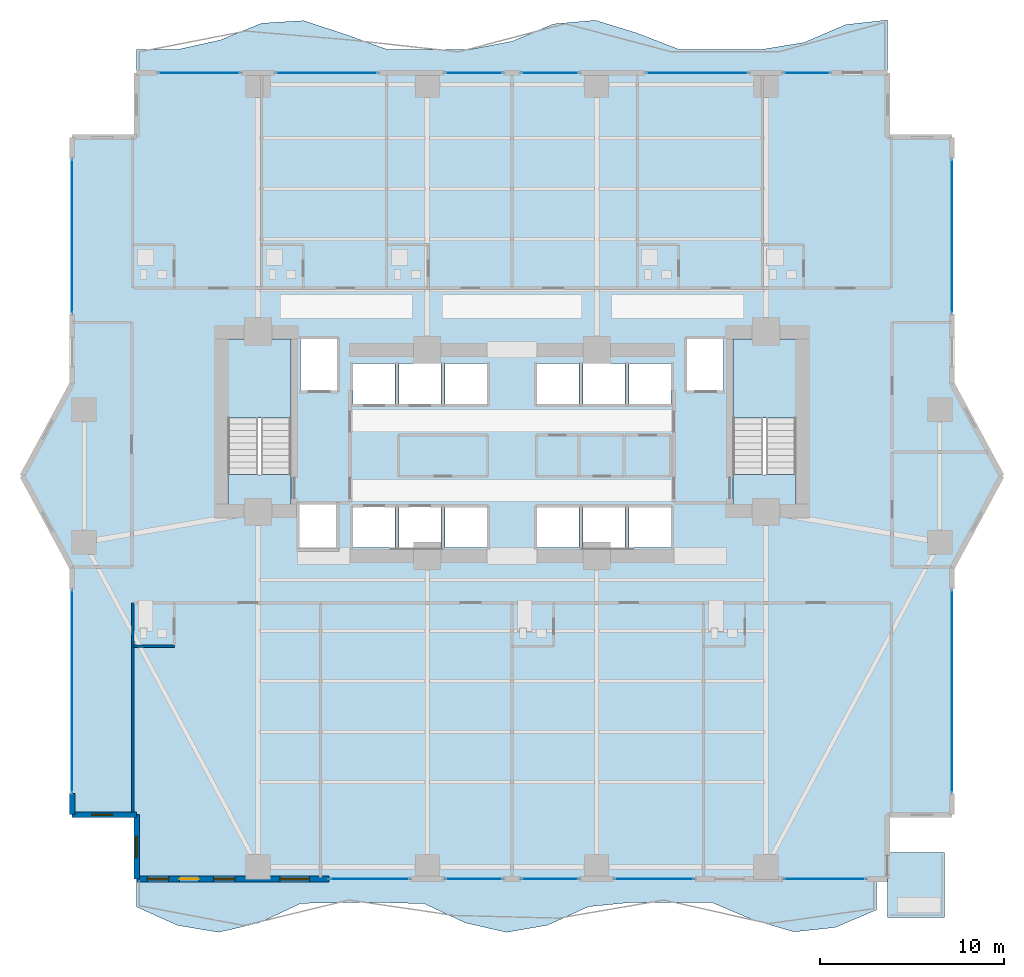
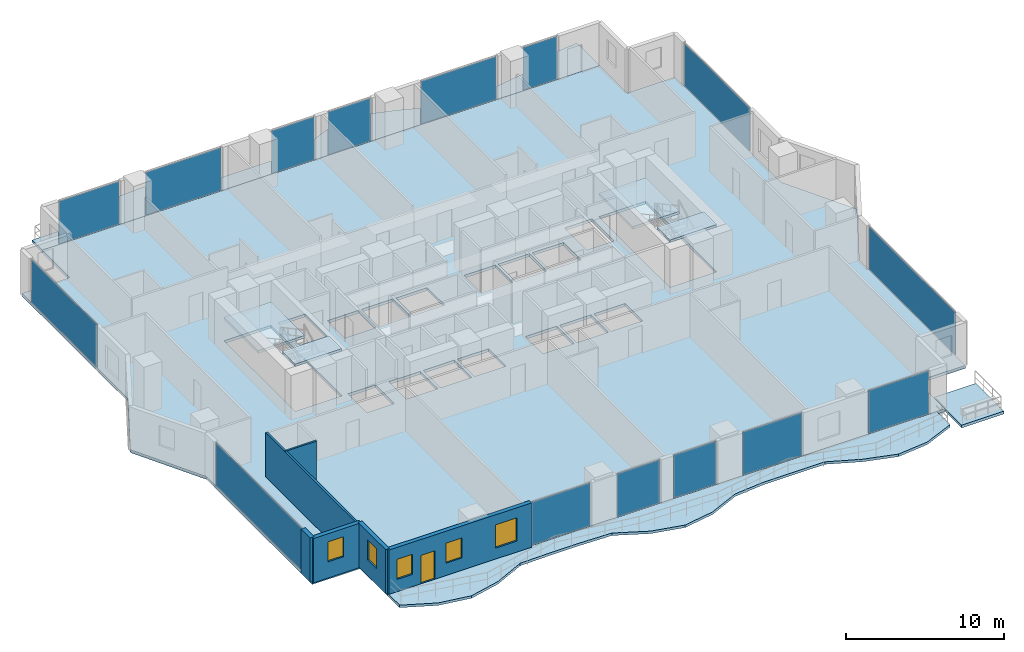
# One storey, part 20 of 30: 15 plates, 8 slabs, 6 walls, 5 windows, 1 door, 6 openings, 17 elements without a shape of their own.
"""IFC4 building model written with IfcOpenShell, lengths in metres."""

from ifc_helpers import new_model, si_unit, direction, frame, frame_2d, origin, origin_2d, place, context, subcontext, project, spatial, polyline, rectangle, outline, extrude, material, layer, layer_set, type_object, element, fill, aggregate, save


model = new_model("IFC4")

# Units and contexts
model_context = context("Model", 3, precision=1e-05, world=origin(), true_north=direction((0.0, 1.0)))
body_context = subcontext(model_context, "Body", "Model", "MODEL_VIEW")
ifc_project = project(units=[si_unit("LENGTHUNIT", "METRE"), si_unit("AREAUNIT", "SQUARE_METRE"), si_unit("VOLUMEUNIT", "CUBIC_METRE"), si_unit("PLANEANGLEUNIT", "RADIAN"), si_unit("MASSUNIT", "GRAM", prefix="KILO")], contexts=[model_context])

# Site, building, storey
site_placement = place(None, origin())
site = spatial("IfcSite", under=ifc_project, at=site_placement, CompositionType="ELEMENT")
building_placement = place(site_placement, origin())
building = spatial("IfcBuilding", under=site, at=building_placement, Name="Zuhayl Quay Hotel", CompositionType="ELEMENT")
storey_placement = place(building_placement, frame((0.0, 0.0, 128.5)))
storey = spatial("IfcBuildingStorey", under=building, at=storey_placement, Name="L32", CompositionType="ELEMENT", Elevation=128.5)

# Curtain wall, plate
ifc_material_1 = material(Name="Anodised Aluminium 6063-T6", Category="aluminium")
ifc_layer_1 = layer(ifc_material_1, 0.179931640625, Name="Anodised Aluminium 6063-T6", Category="aluminium")
ifc_layer_set_1 = layer_set([ifc_layer_1], Name="Anodised Aluminium 6063-T6")
curtain_wall_type = type_object("IfcCurtainWallType", Name="CW_SYS_Z2", PredefinedType="USERDEFINED", material=ifc_layer_set_1)
curtain_wall_1_placement = place(storey_placement, origin())
curtain_wall_1 = element("IfcCurtainWall", 1, at=curtain_wall_1_placement, inside=storey, type_object=curtain_wall_type, Name="L32 Curtain Wall ENV_L32_E02_CW1", ObjectType="UNITISED CURTAIN WALL", PredefinedType="USERDEFINED")
ifc_material_2 = material(Name="Dark Ceramic-Fritted Solar Glass", Category="glass")
ifc_layer_2 = layer(ifc_material_2, 0.035888671875, Name="Dark Ceramic-Fritted Solar Glass", Category="glass")
ifc_layer_set_2 = layer_set([ifc_layer_2], Name="Dark Ceramic-Fritted Solar Glass")
plate_type = type_object("IfcPlateType", Name="PN_DARK_FRIT_Z1", PredefinedType="CURTAIN_PANEL", material=ifc_layer_set_2)
plate_1_placement = place(storey_placement, frame((-23.89990234375, -5.199951171875, 0.06005859375), z_axis=(0.0, 0.0, 1.0), x_axis=(0.0, 1.0, 0.0)))
plate_1 = element("IfcPlate", 2, at=plate_1_placement, type_object=plate_type, Name="CW-Z2 panel 1.1", PredefinedType="CURTAIN_PANEL", context=body_context, shape_type="SweptSolid", body=[
    extrude(rectangle(XDim=10.969970703125, YDim=0.035888671875, at=origin_2d()), origin(), (0.0, 0.0, 1.0), 3.31005859375),
])
aggregate(curtain_wall_1, [plate_1])

curtain_wall_2_placement = place(storey_placement, origin())
curtain_wall_2 = element("IfcCurtainWall", 3, at=curtain_wall_2_placement, inside=storey, type_object=curtain_wall_type, Name="L32 Curtain Wall ENV_L32_E05_CW1", ObjectType="UNITISED CURTAIN WALL", PredefinedType="USERDEFINED")
plate_2_placement = place(storey_placement, frame((-23.89990234375, 19.52490234375, 0.06005859375), z_axis=(0.0, 0.0, 1.0), x_axis=(0.0, 1.0, 0.0)))
plate_2 = element("IfcPlate", 4, at=plate_2_placement, type_object=plate_type, Name="CW-Z2 panel 1.1", PredefinedType="CURTAIN_PANEL", context=body_context, shape_type="SweptSolid", body=[
    extrude(rectangle(XDim=8.320068359375, YDim=0.035888671875, at=origin_2d()), origin(), (0.0, 0.0, 1.0), 3.31005859375),
])
aggregate(curtain_wall_2, [plate_2])

curtain_wall_3_placement = place(storey_placement, origin())
curtain_wall_3 = element("IfcCurtainWall", 5, at=curtain_wall_3_placement, inside=storey, type_object=curtain_wall_type, Name="L32 Curtain Wall ENV_L32_N_CW1", ObjectType="UNITISED CURTAIN WALL", PredefinedType="USERDEFINED")
plate_3_placement = place(storey_placement, frame((-16.985107421875, 28.39990234375, 0.06005859375), z_axis=(0.0, 0.0, 1.0), x_axis=(1.0, 0.0, 0.0)))
plate_3 = element("IfcPlate", 6, at=plate_3_placement, type_object=plate_type, Name="CW-Z2 panel 1.1", PredefinedType="CURTAIN_PANEL", context=body_context, shape_type="SweptSolid", body=[
    extrude(rectangle(XDim=4.39990234375, YDim=0.035888671875, at=origin_2d()), origin(), (0.0, 0.0, 1.0), 3.31005859375),
])
aggregate(curtain_wall_3, [plate_3])

curtain_wall_4_placement = place(storey_placement, origin())
curtain_wall_4 = element("IfcCurtainWall", 7, at=curtain_wall_4_placement, inside=storey, type_object=curtain_wall_type, Name="L32 Curtain Wall ENV_L32_N_CW2", ObjectType="UNITISED CURTAIN WALL", PredefinedType="USERDEFINED")
plate_4_placement = place(storey_placement, frame((-10.06494140625, 28.39990234375, 0.06005859375), z_axis=(0.0, 0.0, 1.0), x_axis=(1.0, 0.0, 0.0)))
plate_4 = element("IfcPlate", 8, at=plate_4_placement, type_object=plate_type, Name="CW-Z2 panel 1.1", PredefinedType="CURTAIN_PANEL", context=body_context, shape_type="SweptSolid", body=[
    extrude(rectangle(XDim=5.5, YDim=0.035888671875, at=origin_2d()), origin(), (0.0, 0.0, 1.0), 3.31005859375),
])
aggregate(curtain_wall_4, [plate_4])

curtain_wall_5_placement = place(storey_placement, origin())
curtain_wall_5 = element("IfcCurtainWall", 9, at=curtain_wall_5_placement, inside=storey, type_object=curtain_wall_type, Name="L32 Curtain Wall ENV_L32_N_CW3", ObjectType="UNITISED CURTAIN WALL", PredefinedType="USERDEFINED")
plate_5_placement = place(storey_placement, frame((-2.06494140625, 28.39990234375, 0.06005859375), z_axis=(0.0, 0.0, 1.0), x_axis=(1.0, 0.0, 0.0)))
plate_5 = element("IfcPlate", 10, at=plate_5_placement, type_object=plate_type, Name="CW-Z2 panel 1.1", PredefinedType="CURTAIN_PANEL", context=body_context, shape_type="SweptSolid", body=[
    extrude(rectangle(XDim=3.10009765625, YDim=0.035888671875, at=origin_2d()), origin(), (0.0, 0.0, 1.0), 3.31005859375),
])
aggregate(curtain_wall_5, [plate_5])

curtain_wall_6_placement = place(storey_placement, origin())
curtain_wall_6 = element("IfcCurtainWall", 11, at=curtain_wall_6_placement, inside=storey, type_object=curtain_wall_type, Name="L32 Curtain Wall ENV_L32_N_CW4", ObjectType="UNITISED CURTAIN WALL", PredefinedType="USERDEFINED")
plate_6_placement = place(storey_placement, frame((2.06494140625, 28.39990234375, 0.06005859375), z_axis=(0.0, 0.0, 1.0), x_axis=(1.0, 0.0, 0.0)))
plate_6 = element("IfcPlate", 12, at=plate_6_placement, type_object=plate_type, Name="CW-Z2 panel 1.1", PredefinedType="CURTAIN_PANEL", context=body_context, shape_type="SweptSolid", body=[
    extrude(rectangle(XDim=3.10009765625, YDim=0.035888671875, at=origin_2d()), origin(), (0.0, 0.0, 1.0), 3.31005859375),
])
aggregate(curtain_wall_6, [plate_6])

curtain_wall_7_placement = place(storey_placement, origin())
curtain_wall_7 = element("IfcCurtainWall", 13, at=curtain_wall_7_placement, inside=storey, type_object=curtain_wall_type, Name="L32 Curtain Wall ENV_L32_N_CW5", ObjectType="UNITISED CURTAIN WALL", PredefinedType="USERDEFINED")
plate_7_placement = place(storey_placement, frame((10.06494140625, 28.39990234375, 0.06005859375), z_axis=(0.0, 0.0, 1.0), x_axis=(1.0, 0.0, 0.0)))
plate_7 = element("IfcPlate", 14, at=plate_7_placement, type_object=plate_type, Name="CW-Z2 panel 1.1", PredefinedType="CURTAIN_PANEL", context=body_context, shape_type="SweptSolid", body=[
    extrude(rectangle(XDim=5.5, YDim=0.035888671875, at=origin_2d()), origin(), (0.0, 0.0, 1.0), 3.31005859375),
])
aggregate(curtain_wall_7, [plate_7])

curtain_wall_8_placement = place(storey_placement, origin())
curtain_wall_8 = element("IfcCurtainWall", 15, at=curtain_wall_8_placement, inside=storey, type_object=curtain_wall_type, Name="L32 Curtain Wall ENV_L32_N_CW6", ObjectType="UNITISED CURTAIN WALL", PredefinedType="USERDEFINED")
plate_8_placement = place(storey_placement, frame((16.0224609375, 28.39990234375, 0.06005859375), z_axis=(0.0, 0.0, 1.0), x_axis=(1.0, 0.0, 0.0)))
plate_8 = element("IfcPlate", 16, at=plate_8_placement, type_object=plate_type, Name="CW-Z2 panel 1.1", PredefinedType="CURTAIN_PANEL", context=body_context, shape_type="SweptSolid", body=[
    extrude(rectangle(XDim=2.47509765625, YDim=0.035888671875, at=origin_2d()), origin(), (0.0, 0.0, 1.0), 3.31005859375),
])
aggregate(curtain_wall_8, [plate_8])

curtain_wall_9_placement = place(storey_placement, origin())
curtain_wall_9 = element("IfcCurtainWall", 17, at=curtain_wall_9_placement, inside=storey, type_object=curtain_wall_type, Name="L32 Curtain Wall ENV_L32_E11_CW1", ObjectType="UNITISED CURTAIN WALL", PredefinedType="USERDEFINED")
plate_9_placement = place(storey_placement, frame((23.89990234375, 19.52490234375, 0.06005859375), z_axis=(0.0, 0.0, 1.0), x_axis=(0.0, -1.0, 0.0)))
plate_9 = element("IfcPlate", 18, at=plate_9_placement, type_object=plate_type, Name="CW-Z2 panel 1.1", PredefinedType="CURTAIN_PANEL", context=body_context, shape_type="SweptSolid", body=[
    extrude(rectangle(XDim=8.320068359375, YDim=0.035888671875, at=origin_2d()), origin(), (0.0, 0.0, 1.0), 3.31005859375),
])
aggregate(curtain_wall_9, [plate_9])

curtain_wall_10_placement = place(storey_placement, origin())
curtain_wall_10 = element("IfcCurtainWall", 19, at=curtain_wall_10_placement, inside=storey, type_object=curtain_wall_type, Name="L32 Curtain Wall ENV_L32_E14_CW1", ObjectType="UNITISED CURTAIN WALL", PredefinedType="USERDEFINED")
plate_10_placement = place(storey_placement, frame((23.89990234375, -5.199951171875, 0.06005859375), z_axis=(0.0, 0.0, 1.0), x_axis=(0.0, -1.0, 0.0)))
plate_10 = element("IfcPlate", 20, at=plate_10_placement, type_object=plate_type, Name="CW-Z2 panel 1.1", PredefinedType="CURTAIN_PANEL", context=body_context, shape_type="SweptSolid", body=[
    extrude(rectangle(XDim=10.969970703125, YDim=0.035888671875, at=origin_2d()), origin(), (0.0, 0.0, 1.0), 3.31005859375),
])
aggregate(curtain_wall_10, [plate_10])

curtain_wall_11_placement = place(storey_placement, origin())
curtain_wall_11 = element("IfcCurtainWall", 21, at=curtain_wall_11_placement, inside=storey, type_object=curtain_wall_type, Name="L32 Curtain Wall ENV_L32_S_CW1", ObjectType="UNITISED CURTAIN WALL", PredefinedType="USERDEFINED")
plate_11_placement = place(storey_placement, frame((16.985107421875, -15.39990234375, 0.06005859375), z_axis=(0.0, 0.0, 1.0), x_axis=(-1.0, 0.0, 0.0)))
plate_11 = element("IfcPlate", 22, at=plate_11_placement, type_object=plate_type, Name="CW-Z2 panel 1.1", PredefinedType="CURTAIN_PANEL", context=body_context, shape_type="SweptSolid", body=[
    extrude(rectangle(XDim=4.39990234375, YDim=0.035888671875, at=origin_2d()), origin(), (0.0, 0.0, 1.0), 3.31005859375),
])
aggregate(curtain_wall_11, [plate_11])

curtain_wall_12_placement = place(storey_placement, origin())
curtain_wall_12 = element("IfcCurtainWall", 23, at=curtain_wall_12_placement, inside=storey, type_object=curtain_wall_type, Name="L32 Curtain Wall ENV_L32_S_CW2", ObjectType="UNITISED CURTAIN WALL", PredefinedType="USERDEFINED")
plate_12_placement = place(storey_placement, frame((7.735107421875, -15.39990234375, 0.06005859375), z_axis=(0.0, 0.0, 1.0), x_axis=(-1.0, 0.0, 0.0)))
plate_12 = element("IfcPlate", 24, at=plate_12_placement, type_object=plate_type, Name="CW-Z2 panel 1.1", PredefinedType="CURTAIN_PANEL", context=body_context, shape_type="SweptSolid", body=[
    extrude(rectangle(XDim=4.300048828125, YDim=0.035888671875, at=origin_2d()), origin(), (0.0, 0.0, 1.0), 3.31005859375),
])
aggregate(curtain_wall_12, [plate_12])

curtain_wall_13_placement = place(storey_placement, origin())
curtain_wall_13 = element("IfcCurtainWall", 25, at=curtain_wall_13_placement, inside=storey, type_object=curtain_wall_type, Name="L32 Curtain Wall ENV_L32_S_CW3", ObjectType="UNITISED CURTAIN WALL", PredefinedType="USERDEFINED")
plate_13_placement = place(storey_placement, frame((2.06494140625, -15.39990234375, 0.06005859375), z_axis=(0.0, 0.0, 1.0), x_axis=(-1.0, 0.0, 0.0)))
plate_13 = element("IfcPlate", 26, at=plate_13_placement, type_object=plate_type, Name="CW-Z2 panel 1.1", PredefinedType="CURTAIN_PANEL", context=body_context, shape_type="SweptSolid", body=[
    extrude(rectangle(XDim=3.10009765625, YDim=0.035888671875, at=origin_2d()), origin(), (0.0, 0.0, 1.0), 3.31005859375),
])
aggregate(curtain_wall_13, [plate_13])

curtain_wall_14_placement = place(storey_placement, origin())
curtain_wall_14 = element("IfcCurtainWall", 27, at=curtain_wall_14_placement, inside=storey, type_object=curtain_wall_type, Name="L32 Curtain Wall ENV_L32_S_CW4", ObjectType="UNITISED CURTAIN WALL", PredefinedType="USERDEFINED")
plate_14_placement = place(storey_placement, frame((-2.06494140625, -15.39990234375, 0.06005859375), z_axis=(0.0, 0.0, 1.0), x_axis=(-1.0, 0.0, 0.0)))
plate_14 = element("IfcPlate", 28, at=plate_14_placement, type_object=plate_type, Name="CW-Z2 panel 1.1", PredefinedType="CURTAIN_PANEL", context=body_context, shape_type="SweptSolid", body=[
    extrude(rectangle(XDim=3.10009765625, YDim=0.035888671875, at=origin_2d()), origin(), (0.0, 0.0, 1.0), 3.31005859375),
])
aggregate(curtain_wall_14, [plate_14])

curtain_wall_15_placement = place(storey_placement, origin())
curtain_wall_15 = element("IfcCurtainWall", 29, at=curtain_wall_15_placement, inside=storey, type_object=curtain_wall_type, Name="L32 Curtain Wall ENV_L32_S_CW5", ObjectType="UNITISED CURTAIN WALL", PredefinedType="USERDEFINED")
plate_15_placement = place(storey_placement, frame((-7.735107421875, -15.39990234375, 0.06005859375), z_axis=(0.0, 0.0, 1.0), x_axis=(-1.0, 0.0, 0.0)))
plate_15 = element("IfcPlate", 30, at=plate_15_placement, type_object=plate_type, Name="CW-Z2 panel 1.1", PredefinedType="CURTAIN_PANEL", context=body_context, shape_type="SweptSolid", body=[
    extrude(rectangle(XDim=4.300048828125, YDim=0.035888671875, at=origin_2d()), origin(), (0.0, 0.0, 1.0), 3.31005859375),
])
aggregate(curtain_wall_15, [plate_15])

# Slabs
ifc_material_3 = material(Name="Concrete C45/55", Category="concrete")
ifc_layer_3 = layer(ifc_material_3, 0.195068359375, Name="Concrete C45/55", Category="concrete")
ifc_layer_set_3 = layer_set([ifc_layer_3], Name="Concrete C45/55")
slab_type_1 = type_object("IfcSlabType", Name="SL_BALCONY_195", PredefinedType="FLOOR", material=ifc_layer_set_3)
slab_1_placement = place(storey_placement, frame((0.0, 0.0, -0.195068359375)))
element("IfcSlab", 31, at=slab_1_placement, inside=storey, type_object=slab_type_1, Name="L32 Exterior Rippling Balcony Slab North", PredefinedType="FLOOR", context=body_context, shape_type="SweptSolid", body=[
    extrude(outline(polyline([(-20.39990234375, 28.39990234375), (20.39990234375, 28.39990234375), (20.39990234375, 31.272705078125), (18.13330078125, 31.021484375), (15.86669921875, 30.050048828125), (13.60009765625, 29.679931640625), (11.333251953125, 29.679931640625), (9.066650390625, 29.679931640625), (6.800048828125, 30.558349609375), (4.533203125, 31.25732421875), (2.2666015625, 31.061279296875), (0.0, 30.115478515625), (-2.2666015625, 29.679931640625), (-4.533203125, 29.679931640625), (-6.800048828125, 29.679931640625), (-9.066650390625, 30.498046875), (-11.333251953125, 31.23876953125), (-13.60009765625, 31.098388671875), (-15.86669921875, 30.1806640625), (-18.13330078125, 29.679931640625), (-20.39990234375, 29.679931640625), (-20.39990234375, 28.39990234375)])), origin(), (0.0, 0.0, 1.0), 0.195068359375),
])
slab_2_placement = place(storey_placement, frame((0.0, 0.0, -0.195068359375)))
element("IfcSlab", 32, at=slab_2_placement, inside=storey, type_object=slab_type_1, Name="L32 Exterior Rippling Balcony Slab South", PredefinedType="FLOOR", context=body_context, shape_type="SweptSolid", body=[
    extrude(outline(polyline([(-20.39990234375, -16.919189453125), (-18.166748046875, -17.922119140625), (-15.933349609375, -18.296142578125), (-13.699951171875, -17.771484375), (-11.466796875, -16.7265625), (-9.2333984375, -16.679931640625), (-7.0, -16.679931640625), (-4.7666015625, -16.7421875), (-2.533203125, -17.78466796875), (-0.300048828125, -18.29736328125), (1.933349609375, -17.910400390625), (4.166748046875, -16.903076171875), (6.39990234375, -16.679931640625), (8.63330078125, -16.679931640625), (10.86669921875, -16.679931640625), (13.10009765625, -17.632080078125), (15.333251953125, -18.272705078125), (17.566650390625, -18.031494140625), (19.800048828125, -17.082763671875), (19.800048828125, -15.39990234375), (-20.39990234375, -15.39990234375), (-20.39990234375, -16.919189453125)])), origin(), (0.0, 0.0, 1.0), 0.195068359375),
])
ifc_layer_4 = layer(ifc_material_3, 0.219970703125, Name="Concrete C45/55", Category="concrete")
ifc_layer_set_4 = layer_set([ifc_layer_4], Name="Concrete C45/55")
slab_type_2 = type_object("IfcSlabType", Name="SL_FLOOR_220", PredefinedType="FLOOR", material=ifc_layer_set_4)
slab_3_placement = place(storey_placement, frame((0.0, 0.0, -0.219970703125)))
element("IfcSlab", 33, at=slab_3_placement, inside=storey, type_object=slab_type_2, Name="L32 Structural Floor Slab", PredefinedType="FLOOR", context=body_context, shape_type="SweptSolid", body=[
    extrude(outline(polyline([(-20.39990234375, -15.39990234375), (20.39990234375, -15.39990234375), (20.39990234375, -11.89990234375), (23.89990234375, -11.89990234375), (23.89990234375, 1.5), (26.60009765625, 6.5), (23.89990234375, 11.5), (23.89990234375, 24.89990234375), (20.39990234375, 24.89990234375), (20.39990234375, 28.39990234375), (-20.39990234375, 28.39990234375), (-20.39990234375, 24.89990234375), (-23.89990234375, 24.89990234375), (-23.89990234375, 11.5), (-26.60009765625, 6.5), (-23.89990234375, 1.5), (-23.89990234375, -11.89990234375), (-20.39990234375, -11.89990234375), (-20.39990234375, -15.39990234375)]), holes=[polyline([(-12.0, 4.949951171875), (-12.0, 13.949951171875), (-15.429931640625, 13.949951171875), (-15.429931640625, 4.949951171875), (-12.0, 4.949951171875)]), polyline([(15.429931640625, 4.949951171875), (15.429931640625, 13.949951171875), (12.0, 13.949951171875), (12.0, 4.949951171875), (15.429931640625, 4.949951171875)]), polyline([(-11.5, 11.14990234375), (-9.5, 11.14990234375), (-9.5, 13.949951171875), (-11.5, 13.949951171875), (-11.5, 11.14990234375)]), polyline([(9.5, 11.14990234375), (11.5, 11.14990234375), (11.5, 13.949951171875), (9.5, 13.949951171875), (9.5, 11.14990234375)]), polyline([(-8.64990234375, 2.60009765625), (-6.35009765625, 2.60009765625), (-6.35009765625, 4.800048828125), (-8.64990234375, 4.800048828125), (-8.64990234375, 2.60009765625)]), polyline([(-6.14990234375, 2.60009765625), (-3.85009765625, 2.60009765625), (-3.85009765625, 4.800048828125), (-6.14990234375, 4.800048828125), (-6.14990234375, 2.60009765625)]), polyline([(-8.64990234375, 10.39990234375), (-6.35009765625, 10.39990234375), (-6.35009765625, 12.60009765625), (-8.64990234375, 12.60009765625), (-8.64990234375, 10.39990234375)]), polyline([(-6.14990234375, 10.39990234375), (-3.85009765625, 10.39990234375), (-3.85009765625, 12.60009765625), (-6.14990234375, 12.60009765625), (-6.14990234375, 10.39990234375)]), polyline([(-3.64990234375, 2.60009765625), (-1.35009765625, 2.60009765625), (-1.35009765625, 4.800048828125), (-3.64990234375, 4.800048828125), (-3.64990234375, 2.60009765625)]), polyline([(1.35009765625, 2.60009765625), (3.64990234375, 2.60009765625), (3.64990234375, 4.800048828125), (1.35009765625, 4.800048828125), (1.35009765625, 2.60009765625)]), polyline([(-3.64990234375, 10.39990234375), (-1.35009765625, 10.39990234375), (-1.35009765625, 12.60009765625), (-3.64990234375, 12.60009765625), (-3.64990234375, 10.39990234375)]), polyline([(1.35009765625, 10.39990234375), (3.64990234375, 10.39990234375), (3.64990234375, 12.60009765625), (1.35009765625, 12.60009765625), (1.35009765625, 10.39990234375)]), polyline([(3.85009765625, 2.60009765625), (6.14990234375, 2.60009765625), (6.14990234375, 4.800048828125), (3.85009765625, 4.800048828125), (3.85009765625, 2.60009765625)]), polyline([(6.35009765625, 2.60009765625), (8.64990234375, 2.60009765625), (8.64990234375, 4.800048828125), (6.35009765625, 4.800048828125), (6.35009765625, 2.60009765625)]), polyline([(3.85009765625, 10.39990234375), (6.14990234375, 10.39990234375), (6.14990234375, 12.60009765625), (3.85009765625, 12.60009765625), (3.85009765625, 10.39990234375)]), polyline([(6.35009765625, 10.39990234375), (8.64990234375, 10.39990234375), (8.64990234375, 12.60009765625), (6.35009765625, 12.60009765625), (6.35009765625, 10.39990234375)]), polyline([(-11.550048828125, 2.550048828125), (-9.550048828125, 2.550048828125), (-9.550048828125, 4.949951171875), (-11.550048828125, 4.949951171875), (-11.550048828125, 2.550048828125)])]), origin(), (0.0, 0.0, 1.0), 0.219970703125),
])

# Stair, slabs
stair_type = type_object("IfcStairType", Name="ST_DOGLEG_TOWER", PredefinedType="HALF_TURN_STAIR", material=ifc_material_3)
stair_1_placement = place(storey_placement, origin())
stair_1 = element("IfcStair", 34, at=stair_1_placement, inside=storey, type_object=stair_type, Name="L32 Smokeproof Exit Stair ST1", PredefinedType="HALF_TURN_STAIR")
ifc_layer_5 = layer(ifc_material_3, 0.199951171875, Name="Concrete C45/55", Category="concrete")
ifc_layer_set_5 = layer_set([ifc_layer_5], Name="Concrete C45/55")
slab_type_3 = type_object("IfcSlabType", Name="SL_STAIR_LANDING_200", PredefinedType="LANDING", material=ifc_layer_set_5)
slab_4_placement = place(storey_placement, frame((0.0, 0.0, 1.625)))
slab_4 = element("IfcSlab", 35, at=slab_4_placement, type_object=slab_type_3, Name="ST1 landing 1", PredefinedType="LANDING", context=body_context, shape_type="SweptSolid", body=[
    extrude(outline(polyline([(-12.0, 9.64990234375), (-12.0, 13.949951171875), (-15.429931640625, 13.949951171875), (-15.429931640625, 9.64990234375), (-12.0, 9.64990234375)])), origin(), (0.0, 0.0, 1.0), 0.199951171875),
])
slab_5_placement = place(storey_placement, frame((0.0, 0.0, 3.449951171875)))
slab_5 = element("IfcSlab", 36, at=slab_5_placement, type_object=slab_type_3, Name="ST1 landing 2", PredefinedType="LANDING", context=body_context, shape_type="SweptSolid", body=[
    extrude(outline(polyline([(-12.0, 4.949951171875), (-12.0, 6.590087890625), (-15.429931640625, 6.590087890625), (-15.429931640625, 4.949951171875), (-12.0, 4.949951171875)])), origin(), (0.0, 0.0, 1.0), 0.199951171875),
])
aggregate(stair_1, [slab_4, slab_5])

stair_2_placement = place(storey_placement, origin())
stair_2 = element("IfcStair", 37, at=stair_2_placement, inside=storey, type_object=stair_type, Name="L32 Smokeproof Exit Stair ST2", PredefinedType="HALF_TURN_STAIR")
slab_6_placement = place(storey_placement, frame((0.0, 0.0, 1.625)))
slab_6 = element("IfcSlab", 38, at=slab_6_placement, type_object=slab_type_3, Name="ST2 landing 1", PredefinedType="LANDING", context=body_context, shape_type="SweptSolid", body=[
    extrude(outline(polyline([(15.429931640625, 9.64990234375), (15.429931640625, 13.949951171875), (12.0, 13.949951171875), (12.0, 9.64990234375), (15.429931640625, 9.64990234375)])), origin(), (0.0, 0.0, 1.0), 0.199951171875),
])
slab_7_placement = place(storey_placement, frame((0.0, 0.0, 3.449951171875)))
slab_7 = element("IfcSlab", 39, at=slab_7_placement, type_object=slab_type_3, Name="ST2 landing 2", PredefinedType="LANDING", context=body_context, shape_type="SweptSolid", body=[
    extrude(outline(polyline([(15.429931640625, 4.949951171875), (15.429931640625, 6.590087890625), (12.0, 6.590087890625), (12.0, 4.949951171875), (15.429931640625, 4.949951171875)])), origin(), (0.0, 0.0, 1.0), 0.199951171875),
])
aggregate(stair_2, [slab_6, slab_7])

# Slab
ifc_layer_6 = layer(ifc_material_3, 0.219970703125, Name="Concrete C45/55", Category="concrete")
ifc_layer_set_6 = layer_set([ifc_layer_6], Name="Concrete C45/55")
slab_type_4 = type_object("IfcSlabType", Name="SL_TERRACE_235", PredefinedType="FLOOR", material=ifc_layer_set_6)
slab_8_placement = place(storey_placement, frame((0.0, 0.0, -0.219970703125)))
element("IfcSlab", 40, at=slab_8_placement, inside=storey, type_object=slab_type_4, Name="L32 Exterior Sky-Terrace Slab L32_SPIRAL_SE", PredefinedType="FLOOR", context=body_context, shape_type="SweptSolid", body=[
    extrude(outline(polyline([(20.39990234375, -17.5), (23.5, -17.5), (23.5, -13.949951171875), (20.39990234375, -13.949951171875), (20.39990234375, -17.5)])), origin(), (0.0, 0.0, 1.0), 0.219970703125),
])

# Wall, opening, window
ifc_material_4 = material(Name="Precast concrete C45/55", Category="concrete")
ifc_layer_7 = layer(ifc_material_4, 0.300048828125, Name="Precast concrete C45/55", Category="concrete")
ifc_layer_set_7 = layer_set([ifc_layer_7], Name="Precast concrete C45/55")
wall_type_1 = type_object("IfcWallType", Name="WL_EXT_300", PredefinedType="STANDARD", material=ifc_layer_set_7)
wall_1_placement = place(storey_placement, frame((-20.39990234375, -11.89990234375, 0.0), z_axis=(0.0, 0.0, 1.0), x_axis=(-1.0, 0.0, 0.0)))
wall_1 = element("IfcWall", 41, at=wall_1_placement, inside=storey, type_object=wall_type_1, Name="L32 Exterior Precast Wall ENV_L32_EW01", PredefinedType="STANDARD", context=body_context, shape_type="SweptSolid", body=[
    extrude(rectangle(XDim=3.5, YDim=0.300048828125, at=frame_2d((1.75, 0.0))), origin(), (0.0, 0.0, 1.0), 3.429931640625),
])
opening_1_placement = place(wall_1_placement, frame((1.284912109375, 0.0, 1.25)))
opening_1 = element("IfcOpeningElement", 42, at=opening_1_placement, cuts=wall_1, Name="Opening W01N", PredefinedType="OPENING", context=body_context, shape_type="SweptSolid", body=[
    extrude(rectangle(XDim=1.14990234375, YDim=1.550048828125, at=frame_2d((0.574951171875, 0.77490234375))), frame((0.0, 0.159912109375, 0.0), z_axis=(0.0, -1.0, 0.0), x_axis=(1.0, 0.0, 0.0)), (0.0, 0.0, 1.0), 0.320068359375),
])
window_type_1 = type_object("IfcWindowType", Name="WN_NOTCH_1350", PartitioningType="SINGLE_PANEL", PredefinedType="WINDOW", material=ifc_material_2)
window_1_placement = place(opening_1_placement, origin())
window_1 = element("IfcWindow", 43, at=window_1_placement, inside=storey, type_object=window_type_1, Name="L32 Corner Notch Window 1", OverallHeight=1.550048828125, OverallWidth=1.14990234375, PartitioningType="SINGLE_PANEL", PredefinedType="WINDOW", context=body_context, shape_type="SweptSolid", body=[
    extrude(rectangle(XDim=1.14990234375, YDim=1.550048828125, at=frame_2d((0.574951171875, 0.77490234375))), frame((0.0, 0.030029296875, 0.0), z_axis=(0.0, -1.0, 0.0), x_axis=(1.0, 0.0, 0.0)), (0.0, 0.0, 1.0), 0.06005859375),
])
fill(opening_1, window_1)

# Wall
wall_2_placement = place(storey_placement, frame((-23.89990234375, -11.89990234375, 0.0), z_axis=(0.0, 0.0, 1.0), x_axis=(0.0, 1.0, 0.0)))
element("IfcWall", 44, at=wall_2_placement, inside=storey, type_object=wall_type_1, Name="L32 Exterior Precast Wall ENV_L32_E02_EW1", PredefinedType="STANDARD", context=body_context, shape_type="SweptSolid", body=[
    extrude(rectangle(XDim=1.14990234375, YDim=0.300048828125, at=frame_2d((0.574951171875, 0.0))), origin(), (0.0, 0.0, 1.0), 3.429931640625),
])

# Wall, openings, door, windows
wall_3_placement = place(storey_placement, frame((-9.949951171875, -15.39990234375, 0.0), z_axis=(0.0, 0.0, 1.0), x_axis=(-1.0, 0.0, 0.0)))
wall_3 = element("IfcWall", 45, at=wall_3_placement, inside=storey, type_object=wall_type_1, Name="L32 Exterior Precast Wall ENV_L32_S_EW6", PredefinedType="STANDARD", context=body_context, shape_type="SweptSolid", body=[
    extrude(rectangle(XDim=10.449951171875, YDim=0.300048828125, at=frame_2d((5.22509765625, 0.0))), origin(), (0.0, 0.0, 1.0), 3.429931640625),
])
opening_2_placement = place(wall_3_placement, frame((7.06494140625, 0.0, 0.0)))
opening_2 = element("IfcOpeningElement", 46, at=opening_2_placement, cuts=wall_3, Name="Opening DG1", PredefinedType="OPENING", context=body_context, shape_type="SweptSolid", body=[
    extrude(rectangle(XDim=1.050048828125, YDim=2.199951171875, at=frame_2d((0.52490234375, 1.10009765625))), frame((0.0, 0.159912109375, 0.0), z_axis=(0.0, -1.0, 0.0), x_axis=(1.0, 0.0, 0.0)), (0.0, 0.0, 1.0), 0.320068359375),
])
opening_3_placement = place(wall_3_placement, frame((1.06005859375, 0.0, 0.85009765625)))
opening_3 = element("IfcOpeningElement", 47, at=opening_3_placement, cuts=wall_3, Name="Opening W01", PredefinedType="OPENING", context=body_context, shape_type="SweptSolid", body=[
    extrude(rectangle(XDim=1.60009765625, YDim=1.800048828125, at=frame_2d((0.800048828125, 0.89990234375))), frame((0.0, 0.159912109375, 0.0), z_axis=(0.0, -1.0, 0.0), x_axis=(1.0, 0.0, 0.0)), (0.0, 0.0, 1.0), 0.320068359375),
])
opening_4_placement = place(wall_3_placement, frame((5.107421875, 0.0, 0.949951171875)))
opening_4 = element("IfcOpeningElement", 48, at=opening_4_placement, cuts=wall_3, Name="Opening W01N", PredefinedType="OPENING", context=body_context, shape_type="SweptSolid", body=[
    extrude(rectangle(XDim=1.14990234375, YDim=1.550048828125, at=frame_2d((0.574951171875, 0.77490234375))), frame((0.0, 0.159912109375, 0.0), z_axis=(0.0, -1.0, 0.0), x_axis=(1.0, 0.0, 0.0)), (0.0, 0.0, 1.0), 0.320068359375),
])
opening_5_placement = place(wall_3_placement, frame((8.71240234375, 0.0, 0.949951171875)))
opening_5 = element("IfcOpeningElement", 49, at=opening_5_placement, cuts=wall_3, Name="Opening W01N", PredefinedType="OPENING", context=body_context, shape_type="SweptSolid", body=[
    extrude(rectangle(XDim=1.14990234375, YDim=1.550048828125, at=frame_2d((0.574951171875, 0.77490234375))), frame((0.0, 0.159912109375, 0.0), z_axis=(0.0, -1.0, 0.0), x_axis=(1.0, 0.0, 0.0)), (0.0, 0.0, 1.0), 0.320068359375),
])
ifc_material_5 = material(Name="Anodised Aluminium and Dark Solar Glass", Category="aluminium")
door_type = type_object("IfcDoorType", Name="DR_EXT_TERR_1050", OperationType="NOTDEFINED", PredefinedType="DOOR", material=ifc_material_5)
door_placement = place(opening_2_placement, origin())
door = element("IfcDoor", 50, at=door_placement, inside=storey, type_object=door_type, Name="L32 South Rippling Balcony Door", OperationType="SINGLE_SWING_RIGHT", OverallHeight=2.199951171875, OverallWidth=1.050048828125, PredefinedType="DOOR", context=body_context, shape_type="SweptSolid", body=[
    extrude(rectangle(XDim=1.050048828125, YDim=2.199951171875, at=frame_2d((0.52490234375, 1.10009765625))), frame((0.0, 0.02490234375, 0.0), z_axis=(0.0, -1.0, 0.0), x_axis=(1.0, 0.0, 0.0)), (0.0, 0.0, 1.0), 0.050048828125),
])
fill(opening_2, door)
window_2_placement = place(opening_4_placement, origin())
window_2 = element("IfcWindow", 51, at=window_2_placement, inside=storey, type_object=window_type_1, Name="L32 Operable Facade Window 6-2", OverallHeight=1.550048828125, OverallWidth=1.14990234375, PartitioningType="SINGLE_PANEL", PredefinedType="WINDOW", context=body_context, shape_type="SweptSolid", body=[
    extrude(rectangle(XDim=1.14990234375, YDim=1.550048828125, at=frame_2d((0.574951171875, 0.77490234375))), frame((0.0, 0.030029296875, 0.0), z_axis=(0.0, -1.0, 0.0), x_axis=(1.0, 0.0, 0.0)), (0.0, 0.0, 1.0), 0.06005859375),
])
fill(opening_4, window_2)
window_3_placement = place(opening_5_placement, origin())
window_3 = element("IfcWindow", 52, at=window_3_placement, inside=storey, type_object=window_type_1, Name="L32 Operable Facade Window 6-3", OverallHeight=1.550048828125, OverallWidth=1.14990234375, PartitioningType="SINGLE_PANEL", PredefinedType="WINDOW", context=body_context, shape_type="SweptSolid", body=[
    extrude(rectangle(XDim=1.14990234375, YDim=1.550048828125, at=frame_2d((0.574951171875, 0.77490234375))), frame((0.0, 0.030029296875, 0.0), z_axis=(0.0, -1.0, 0.0), x_axis=(1.0, 0.0, 0.0)), (0.0, 0.0, 1.0), 0.06005859375),
])
fill(opening_5, window_3)
window_type_2 = type_object("IfcWindowType", Name="WN_OPERABLE_1600", PartitioningType="DOUBLE_PANEL_VERTICAL", PredefinedType="WINDOW", material=ifc_material_2)
window_4_placement = place(opening_3_placement, origin())
window_4 = element("IfcWindow", 53, at=window_4_placement, inside=storey, type_object=window_type_2, Name="L32 Operable Facade Window 6-1", OverallHeight=1.800048828125, OverallWidth=1.60009765625, PartitioningType="SINGLE_PANEL", PredefinedType="WINDOW", context=body_context, shape_type="SweptSolid", body=[
    extrude(rectangle(XDim=1.60009765625, YDim=1.800048828125, at=frame_2d((0.800048828125, 0.89990234375))), frame((0.0, 0.030029296875, 0.0), z_axis=(0.0, -1.0, 0.0), x_axis=(1.0, 0.0, 0.0)), (0.0, 0.0, 1.0), 0.06005859375),
])
fill(opening_3, window_4)

# Wall, opening, window
wall_4_placement = place(storey_placement, frame((-20.39990234375, -15.39990234375, 0.0), z_axis=(0.0, 0.0, 1.0), x_axis=(0.0, 1.0, 0.0)))
wall_4 = element("IfcWall", 54, at=wall_4_placement, inside=storey, type_object=wall_type_1, Name="L32 Exterior Precast Wall ENV_L32_EW18", PredefinedType="STANDARD", context=body_context, shape_type="SweptSolid", body=[
    extrude(rectangle(XDim=3.5, YDim=0.300048828125, at=frame_2d((1.75, 0.0))), origin(), (0.0, 0.0, 1.0), 3.429931640625),
])
opening_6_placement = place(wall_4_placement, frame((1.1650390625, 0.0, 1.25)))
opening_6 = element("IfcOpeningElement", 55, at=opening_6_placement, cuts=wall_4, Name="Opening W01N", PredefinedType="OPENING", context=body_context, shape_type="SweptSolid", body=[
    extrude(rectangle(XDim=1.14990234375, YDim=1.550048828125, at=frame_2d((0.574951171875, 0.77490234375))), frame((0.0, 0.159912109375, 0.0), z_axis=(0.0, -1.0, 0.0), x_axis=(1.0, 0.0, 0.0)), (0.0, 0.0, 1.0), 0.320068359375),
])
window_5_placement = place(opening_6_placement, origin())
window_5 = element("IfcWindow", 56, at=window_5_placement, inside=storey, type_object=window_type_1, Name="L32 Corner Notch Window 18", OverallHeight=1.550048828125, OverallWidth=1.14990234375, PartitioningType="SINGLE_PANEL", PredefinedType="WINDOW", context=body_context, shape_type="SweptSolid", body=[
    extrude(rectangle(XDim=1.14990234375, YDim=1.550048828125, at=frame_2d((0.574951171875, 0.77490234375))), frame((0.0, 0.030029296875, 0.0), z_axis=(0.0, -1.0, 0.0), x_axis=(1.0, 0.0, 0.0)), (0.0, 0.0, 1.0), 0.06005859375),
])
fill(opening_6, window_5)

# Walls
ifc_material_6 = material(Name="Acoustic Gypsum Partition STC-58")
ifc_layer_8 = layer(ifc_material_6, 0.14990234375, Name="Acoustic Gypsum Partition STC-58")
ifc_layer_set_8 = layer_set([ifc_layer_8], Name="Acoustic Gypsum Partition STC-58")
wall_type_2 = type_object("IfcWallType", Name="WL_PART_150", PredefinedType="PARTITIONING", material=ifc_layer_set_8)
wall_5_placement = place(storey_placement, frame((-20.60009765625, -11.89990234375, 0.0), z_axis=(0.0, 0.0, 1.0), x_axis=(0.0, 1.0, 0.0)))
element("IfcWall", 57, at=wall_5_placement, inside=storey, type_object=wall_type_2, Name="L32 Partition IW_L32_SU01_W", PredefinedType="PARTITIONING", context=body_context, shape_type="SweptSolid", body=[
    extrude(rectangle(XDim=11.5, YDim=0.14990234375, at=frame_2d((5.75, 0.0))), origin(), (0.0, 0.0, 1.0), 3.429931640625),
])
ifc_material_7 = material(Name="Moisture-Resistant Sanitarychase Gypsum")
ifc_layer_9 = layer(ifc_material_7, 0.135009765625, Name="Moisture-Resistant Sanitarychase Gypsum")
ifc_layer_set_9 = layer_set([ifc_layer_9], Name="Moisture-Resistant Sanitarychase Gypsum")
wall_type_3 = type_object("IfcWallType", Name="WL_PART_PLUMB_150", PredefinedType="PLUMBINGWALL", material=ifc_layer_set_9)
wall_6_placement = place(storey_placement, frame((-20.60009765625, -2.760009765625, 0.0), z_axis=(0.0, 0.0, 1.0), x_axis=(1.0, 0.0, 0.0)))
element("IfcWall", 58, at=wall_6_placement, inside=storey, type_object=wall_type_3, Name="L32 Partition IW_L32_SU01_BS", PredefinedType="PLUMBINGWALL", context=body_context, shape_type="SweptSolid", body=[
    extrude(rectangle(XDim=2.260009765625, YDim=0.135009765625, at=frame_2d((1.1298828125, 0.0))), origin(), (0.0, 0.0, 1.0), 3.429931640625),
])

save(model, "model.ifc")
